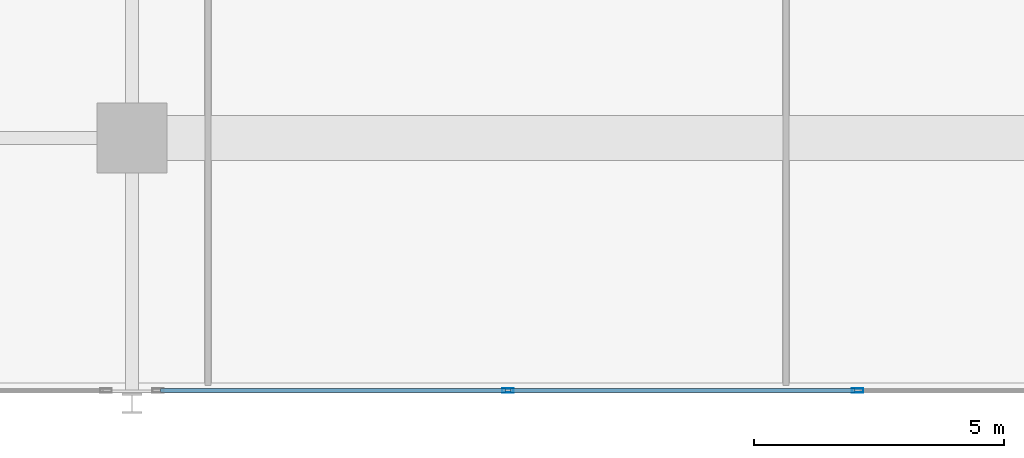
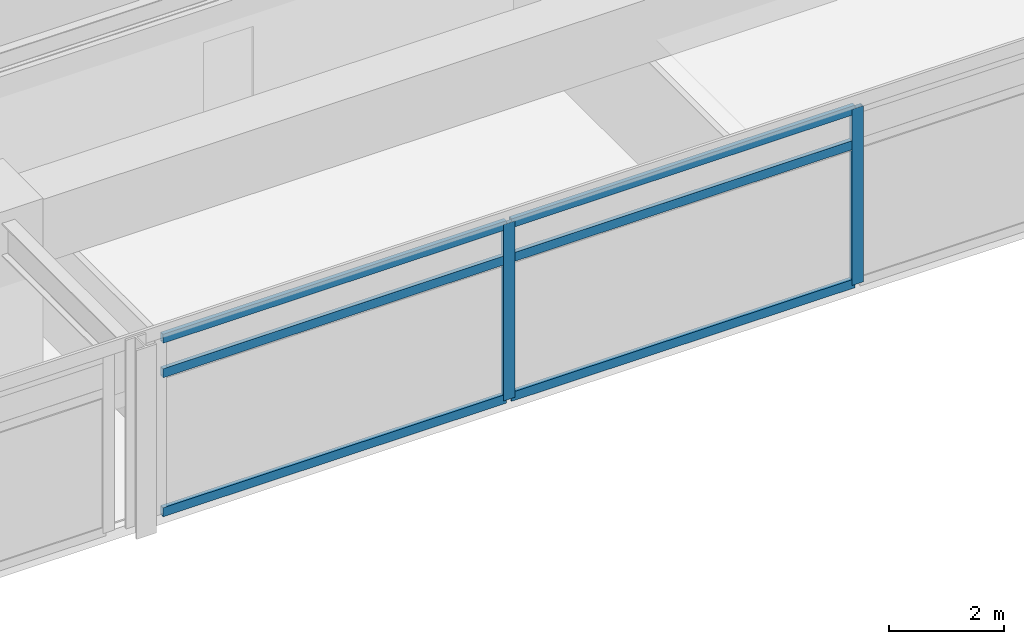
# One storey, part 4 of 21: 8 members, 1 element without a shape of its own.
"""IFC4 building model written with IfcOpenShell, lengths in metres."""

from ifc_helpers import new_model, si_unit, direction, frame, origin, origin_2d, place, context, subcontext, project, spatial, hollow_rectangle, extrude, material, material_profile, profile_set, type_object, element, aggregate, save


model = new_model("IFC4")

# Units and contexts
model_context = context("Model", 3, precision=1e-05, world=origin(), true_north=direction((0.0, 1.0)))
body_context = subcontext(model_context, "Body", "Model", "MODEL_VIEW")
ifc_project = project(units=[si_unit("LENGTHUNIT", "METRE"), si_unit("AREAUNIT", "SQUARE_METRE"), si_unit("VOLUMEUNIT", "CUBIC_METRE"), si_unit("PLANEANGLEUNIT", "RADIAN"), si_unit("MASSUNIT", "GRAM", prefix="KILO")], contexts=[model_context])

# Site, building, storey
site_placement = place(None, origin())
site = spatial("IfcSite", under=ifc_project, at=site_placement, CompositionType="ELEMENT")
building_placement = place(site_placement, origin())
building = spatial("IfcBuilding", under=site, at=building_placement, Name="Kovane Verandah Tower", CompositionType="ELEMENT")
storey_placement = place(building_placement, frame((0.0, 0.0, 209.199951171875)))
storey = spatial("IfcBuildingStorey", under=building, at=storey_placement, Name="L48", CompositionType="ELEMENT", Elevation=209.199951171875)

# Curtain wall, members
ifc_material_1 = material(Name="Champagne Anodised Aluminium Frame with Low-E Clear Laminated Glass", Category="aluminium")
curtain_wall_type = type_object("IfcCurtainWallType", Name="CW-SYS-03-MID", PredefinedType="NOTDEFINED", material=ifc_material_1)
curtain_wall_placement = place(storey_placement, origin())
curtain_wall = element("IfcCurtainWall", 1, at=curtain_wall_placement, inside=storey, type_object=curtain_wall_type, Name="L48 S Unitised Curtain Wall-2", PredefinedType="NOTDEFINED")
ifc_material_2 = material(Name="Champagne Anodised Aluminium 6063-T6", Category="aluminium")
ifc_material_profile_1 = material_profile(ifc_material_2, hollow_rectangle(XDim=0.0849609375, YDim=0.22998046875, WallThickness=0.00390625, at=origin_2d()), Name="AL85x230x4")
ifc_profile_set_1 = profile_set([ifc_material_profile_1], Name="Champagne Anodised Aluminium 6063-T6")
member_type_1 = type_object("IfcMemberType", Name="CW-MUL-85x230", PredefinedType="MULLION", material=ifc_profile_set_1)
member_1_placement = place(storey_placement, frame((36.506591796875, 5.75830078125, 0.02001953125), z_axis=(0.0, 0.0, 1.0), x_axis=(0.0, -1.0, 0.0)))
member_1 = element("IfcMember", 2, at=member_1_placement, type_object=member_type_1, Name="L48 S Unitised Curtain Wall-2 Mullion 2", PredefinedType="MULLION", context=body_context, shape_type="SweptSolid", body=[
    extrude(hollow_rectangle(XDim=0.0849609375, YDim=0.22998046875, WallThickness=0.00390625, at=origin_2d()), origin(), (0.0, 0.0, 1.0), 3.735107421875),
])
member_2_placement = place(storey_placement, frame((43.493408203125, 5.75830078125, 0.02001953125), z_axis=(0.0, 0.0, 1.0), x_axis=(0.0, -1.0, 0.0)))
member_2 = element("IfcMember", 3, at=member_2_placement, type_object=member_type_1, Name="L48 S Unitised Curtain Wall-2 Mullion 3", PredefinedType="MULLION", context=body_context, shape_type="SweptSolid", body=[
    extrude(hollow_rectangle(XDim=0.0849609375, YDim=0.22998046875, WallThickness=0.00390625, at=origin_2d()), origin(), (0.0, 0.0, 1.0), 3.735107421875),
])
ifc_material_profile_2 = material_profile(ifc_material_2, hollow_rectangle(XDim=0.0849609375, YDim=0.18994140625, WallThickness=0.00390625, at=origin_2d()), Name="AL85x190x4")
ifc_profile_set_2 = profile_set([ifc_material_profile_2], Name="Champagne Anodised Aluminium 6063-T6")
member_type_2 = type_object("IfcMemberType", Name="CW-TRN-85x190", PredefinedType="USERDEFINED", material=ifc_profile_set_2)
member_3_placement = place(storey_placement, frame((29.570068359375, 5.75830078125, 0.050048828125), z_axis=(1.0, 0.0, 0.0), x_axis=(0.0, 1.0, 0.0)))
member_3 = element("IfcMember", 4, at=member_3_placement, type_object=member_type_2, Name="L48 S Unitised Curtain Wall-2 Transom TB Bay 1", ObjectType="TRANSOM", PredefinedType="USERDEFINED", context=body_context, shape_type="SweptSolid", body=[
    extrude(hollow_rectangle(XDim=0.0849609375, YDim=0.18994140625, WallThickness=0.00390625, at=origin_2d()), origin(), (0.0, 0.0, 1.0), 6.88671875),
])
member_4_placement = place(storey_placement, frame((29.570068359375, 5.75830078125, 2.9951171875), z_axis=(1.0, 0.0, 0.0), x_axis=(0.0, 1.0, 0.0)))
member_4 = element("IfcMember", 5, at=member_4_placement, type_object=member_type_2, Name="L48 S Unitised Curtain Wall-2 Transom TM Bay 1", ObjectType="TRANSOM", PredefinedType="USERDEFINED", context=body_context, shape_type="SweptSolid", body=[
    extrude(hollow_rectangle(XDim=0.0849609375, YDim=0.18994140625, WallThickness=0.00390625, at=origin_2d()), origin(), (0.0, 0.0, 1.0), 6.88671875),
])
member_5_placement = place(storey_placement, frame((29.570068359375, 5.75830078125, 3.72509765625), z_axis=(1.0, 0.0, 0.0), x_axis=(0.0, 1.0, 0.0)))
member_5 = element("IfcMember", 6, at=member_5_placement, type_object=member_type_2, Name="L48 S Unitised Curtain Wall-2 Transom TT Bay 1", ObjectType="TRANSOM", PredefinedType="USERDEFINED", context=body_context, shape_type="SweptSolid", body=[
    extrude(hollow_rectangle(XDim=0.0849609375, YDim=0.18994140625, WallThickness=0.00390625, at=origin_2d()), origin(), (0.0, 0.0, 1.0), 6.88671875),
])
member_6_placement = place(storey_placement, frame((36.556640625, 5.75830078125, 0.050048828125), z_axis=(1.0, 0.0, 0.0), x_axis=(0.0, 1.0, 0.0)))
member_6 = element("IfcMember", 7, at=member_6_placement, type_object=member_type_2, Name="L48 S Unitised Curtain Wall-2 Transom TB Bay 2", ObjectType="TRANSOM", PredefinedType="USERDEFINED", context=body_context, shape_type="SweptSolid", body=[
    extrude(hollow_rectangle(XDim=0.0849609375, YDim=0.18994140625, WallThickness=0.00390625, at=origin_2d()), origin(), (0.0, 0.0, 1.0), 6.88671875),
])
member_7_placement = place(storey_placement, frame((36.556640625, 5.75830078125, 2.9951171875), z_axis=(1.0, 0.0, 0.0), x_axis=(0.0, 1.0, 0.0)))
member_7 = element("IfcMember", 8, at=member_7_placement, type_object=member_type_2, Name="L48 S Unitised Curtain Wall-2 Transom TM Bay 2", ObjectType="TRANSOM", PredefinedType="USERDEFINED", context=body_context, shape_type="SweptSolid", body=[
    extrude(hollow_rectangle(XDim=0.0849609375, YDim=0.18994140625, WallThickness=0.00390625, at=origin_2d()), origin(), (0.0, 0.0, 1.0), 6.88671875),
])
member_8_placement = place(storey_placement, frame((36.556640625, 5.75830078125, 3.72509765625), z_axis=(1.0, 0.0, 0.0), x_axis=(0.0, 1.0, 0.0)))
member_8 = element("IfcMember", 9, at=member_8_placement, type_object=member_type_2, Name="L48 S Unitised Curtain Wall-2 Transom TT Bay 2", ObjectType="TRANSOM", PredefinedType="USERDEFINED", context=body_context, shape_type="SweptSolid", body=[
    extrude(hollow_rectangle(XDim=0.0849609375, YDim=0.18994140625, WallThickness=0.00390625, at=origin_2d()), origin(), (0.0, 0.0, 1.0), 6.88671875),
])
aggregate(curtain_wall, [member_1, member_2, member_3, member_4, member_5, member_6, member_7, member_8])

save(model, "model.ifc")
